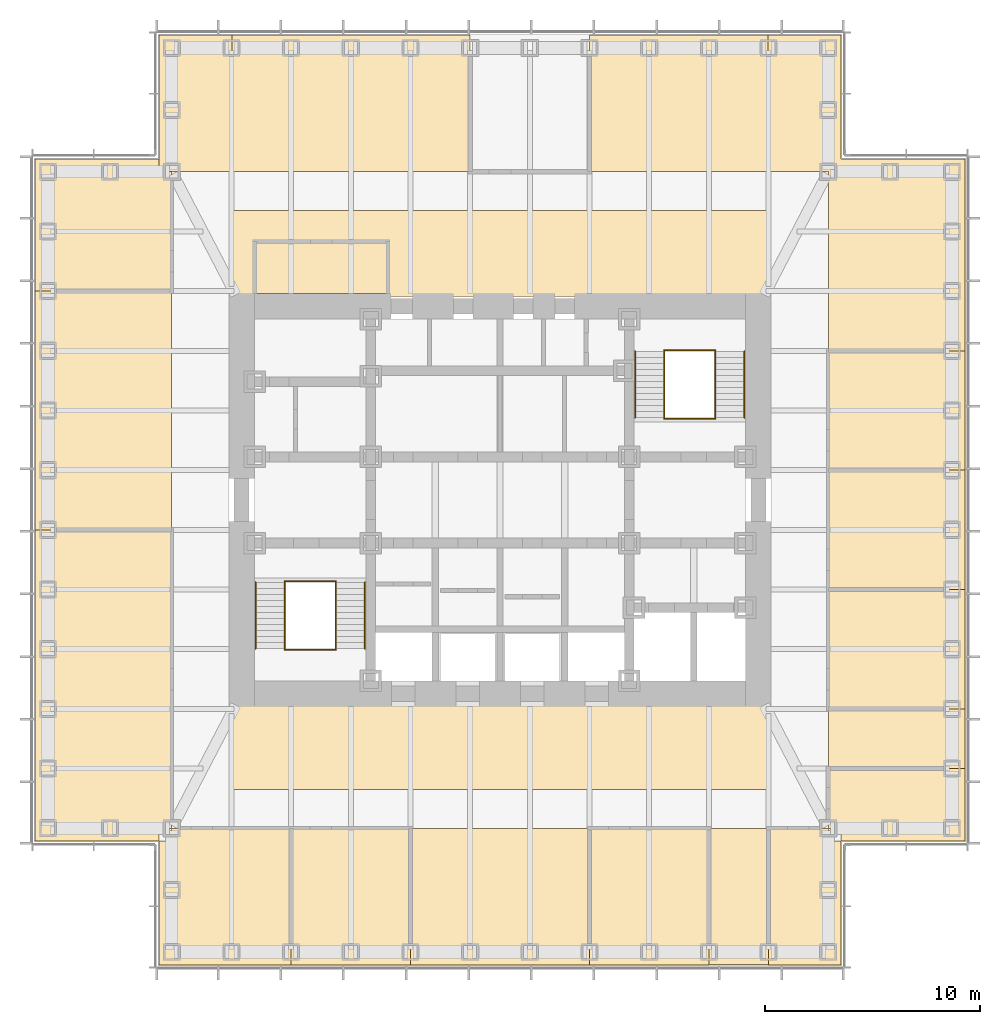
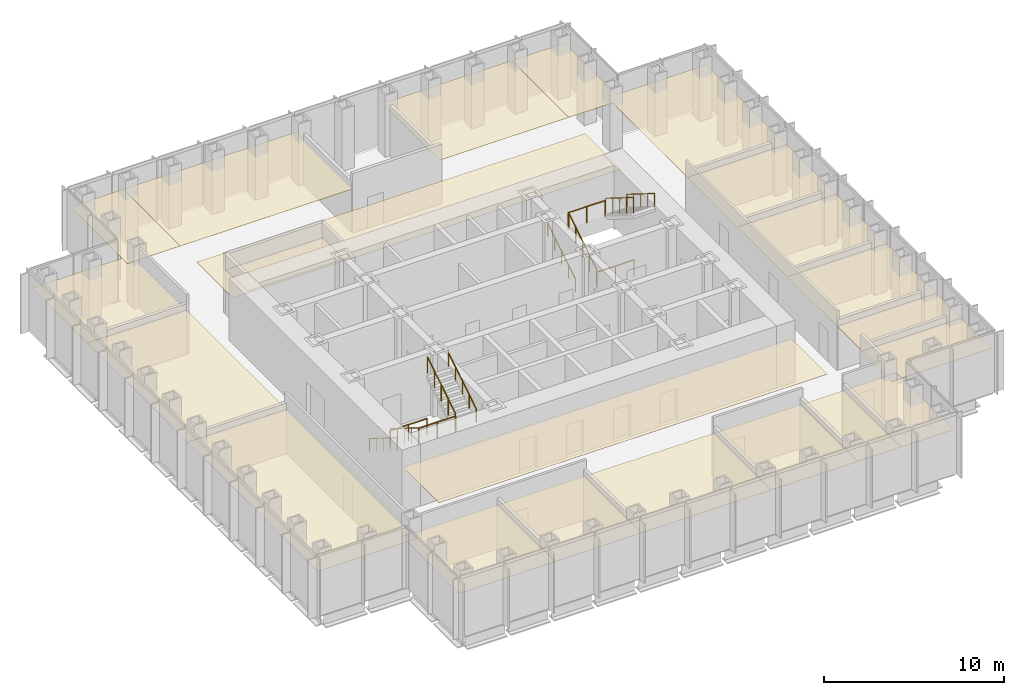
# One storey, part 16 of 16: 21 coverings, 12 railings.
"""IFC4 building model written with IfcOpenShell, lengths in metres."""

from ifc_helpers import new_model, si_unit, direction, frame, origin, origin_2d, place, context, subcontext, project, spatial, polyline, circle, outline, extrude, material, layer, layer_set, type_object, element, save


model = new_model("IFC4")

# Units and contexts
model_context = context("Model", 3, precision=1e-05, world=origin(), true_north=direction((0.0, 1.0)))
body_context = subcontext(model_context, "Body", "Model", "MODEL_VIEW")
ifc_project = project(units=[si_unit("LENGTHUNIT", "METRE"), si_unit("AREAUNIT", "SQUARE_METRE"), si_unit("VOLUMEUNIT", "CUBIC_METRE"), si_unit("PLANEANGLEUNIT", "RADIAN"), si_unit("MASSUNIT", "GRAM", prefix="KILO")], contexts=[model_context])

# Site, building, storey
site_placement = place(None, origin())
site = spatial("IfcSite", under=ifc_project, at=site_placement, CompositionType="ELEMENT")
building_placement = place(site_placement, origin())
building = spatial("IfcBuilding", under=site, at=building_placement, Name="Daluyong Arena Tower", CompositionType="ELEMENT")
storey_placement = place(building_placement, frame((0.0, 0.0, 267.10009765625)))
storey = spatial("IfcBuildingStorey", under=building, at=storey_placement, Name="L60", CompositionType="ELEMENT", Elevation=267.10009765625)

# Coverings
ifc_material_1 = material(Name="Mineral fibre ceiling tile", Category="gypsum board")
ifc_layer = layer(ifc_material_1, 0.02001953125)
ifc_layer_set = layer_set([ifc_layer], Name="Mineral fibre ceiling tile")
covering_type = type_object("IfcCoveringType", Name="Office ceiling", PredefinedType="CEILING", material=ifc_layer_set)
covering_1_placement = place(storey_placement, frame((0.0, 0.0, 2.89990234375)))
element("IfcCovering", 1, at=covering_1_placement, inside=storey, type_object=covering_type, Name="ceiling L60-01", PredefinedType="CEILING", context=body_context, shape_type="SweptSolid", body=[
    extrude(outline(polyline([(40.14990234375, 64.14990234375), (40.14990234375, 58.39990234375), (46.29541015625, 58.39990234375), (46.29541015625, 64.75), (40.75, 64.75), (40.75, 64.14990234375), (40.14990234375, 64.14990234375)])), origin(), (0.0, 0.0, 1.0), 0.02001953125),
])
covering_2_placement = place(storey_placement, frame((0.0, 0.0, 2.89990234375)))
element("IfcCovering", 2, at=covering_2_placement, inside=storey, type_object=covering_type, Name="ceiling L60-02", PredefinedType="CEILING", context=body_context, shape_type="SweptSolid", body=[
    extrude(outline(polyline([(46.29541015625, 64.75), (46.29541015625, 58.39990234375), (51.8408203125, 58.39990234375), (51.8408203125, 64.75), (46.29541015625, 64.75)])), origin(), (0.0, 0.0, 1.0), 0.02001953125),
])
covering_3_placement = place(storey_placement, frame((0.0, 0.0, 2.89990234375)))
element("IfcCovering", 3, at=covering_3_placement, inside=storey, type_object=covering_type, Name="ceiling L60-03", PredefinedType="CEILING", context=body_context, shape_type="SweptSolid", body=[
    extrude(outline(polyline([(60.1591796875, 64.75), (60.1591796875, 58.39990234375), (65.70458984375, 58.39990234375), (65.70458984375, 64.75), (60.1591796875, 64.75)])), origin(), (0.0, 0.0, 1.0), 0.02001953125),
])
covering_4_placement = place(storey_placement, frame((0.0, 0.0, 2.89990234375)))
element("IfcCovering", 4, at=covering_4_placement, inside=storey, type_object=covering_type, Name="ceiling L60-04", PredefinedType="CEILING", context=body_context, shape_type="SweptSolid", body=[
    extrude(outline(polyline([(71.85009765625, 58.39990234375), (71.85009765625, 64.14990234375), (71.25, 64.14990234375), (71.25, 64.75), (68.477294921875, 64.75), (68.477294921875, 58.39990234375), (71.85009765625, 58.39990234375)])), origin(), (0.0, 0.0, 1.0), 0.02001953125),
])
covering_5_placement = place(storey_placement, frame((0.0, 0.0, 2.89990234375)))
element("IfcCovering", 5, at=covering_5_placement, inside=storey, type_object=covering_type, Name="ceiling L60-05", PredefinedType="CEILING", context=body_context, shape_type="SweptSolid", body=[
    extrude(outline(polyline([(71.85009765625, 64.14990234375), (77.60009765625, 64.14990234375), (77.60009765625, 67.522705078125), (71.25, 67.522705078125), (71.25, 64.75), (71.85009765625, 64.75), (71.85009765625, 64.14990234375)])), origin(), (0.0, 0.0, 1.0), 0.02001953125),
])
covering_6_placement = place(storey_placement, frame((0.0, 0.0, 2.89990234375)))
element("IfcCovering", 6, at=covering_6_placement, inside=storey, type_object=covering_type, Name="ceiling L60-06", PredefinedType="CEILING", context=body_context, shape_type="SweptSolid", body=[
    extrude(outline(polyline([(71.25, 70.29541015625), (77.60009765625, 70.29541015625), (77.60009765625, 75.8408203125), (71.25, 75.8408203125), (71.25, 70.29541015625)])), origin(), (0.0, 0.0, 1.0), 0.02001953125),
])
covering_7_placement = place(storey_placement, frame((0.0, 0.0, 2.89990234375)))
element("IfcCovering", 7, at=covering_7_placement, inside=storey, type_object=covering_type, Name="ceiling L60-07", PredefinedType="CEILING", context=body_context, shape_type="SweptSolid", body=[
    extrude(outline(polyline([(71.25, 75.8408203125), (77.60009765625, 75.8408203125), (77.60009765625, 81.386474609375), (71.25, 81.386474609375), (71.25, 75.8408203125)])), origin(), (0.0, 0.0, 1.0), 0.02001953125),
])
covering_8_placement = place(storey_placement, frame((0.0, 0.0, 2.89990234375)))
element("IfcCovering", 8, at=covering_8_placement, inside=storey, type_object=covering_type, Name="ceiling L60-08", PredefinedType="CEILING", context=body_context, shape_type="SweptSolid", body=[
    extrude(outline(polyline([(71.25, 81.386474609375), (77.60009765625, 81.386474609375), (77.60009765625, 86.931884765625), (71.25, 86.931884765625), (71.25, 81.386474609375)])), origin(), (0.0, 0.0, 1.0), 0.02001953125),
])
covering_9_placement = place(storey_placement, frame((0.0, 0.0, 2.89990234375)))
element("IfcCovering", 9, at=covering_9_placement, inside=storey, type_object=covering_type, Name="ceiling L60-10", PredefinedType="CEILING", context=body_context, shape_type="SweptSolid", body=[
    extrude(outline(polyline([(34.39990234375, 64.14990234375), (40.14990234375, 64.14990234375), (40.14990234375, 64.75), (40.75, 64.75), (40.75, 78.613525390625), (34.39990234375, 78.613525390625), (34.39990234375, 64.14990234375)])), origin(), (0.0, 0.0, 1.0), 0.02001953125),
])
covering_10_placement = place(storey_placement, frame((0.0, 0.0, 2.89990234375)))
element("IfcCovering", 10, at=covering_10_placement, inside=storey, type_object=covering_type, Name="ceiling L60-11", PredefinedType="CEILING", context=body_context, shape_type="SweptSolid", body=[
    extrude(outline(polyline([(40.75, 89.70458984375), (40.75, 95.25), (40.14990234375, 95.25), (40.14990234375, 95.85009765625), (34.39990234375, 95.85009765625), (34.39990234375, 89.70458984375), (40.75, 89.70458984375)])), origin(), (0.0, 0.0, 1.0), 0.02001953125),
])
covering_11_placement = place(storey_placement, frame((0.0, 0.0, 2.89990234375)))
element("IfcCovering", 11, at=covering_11_placement, inside=storey, type_object=covering_type, Name="ceiling L60-12", PredefinedType="CEILING", context=body_context, shape_type="SweptSolid", body=[
    extrude(outline(polyline([(44.60009765625, 89.60009765625), (50.800048828125, 89.60009765625), (50.800048828125, 92.0), (44.60009765625, 92.0), (44.60009765625, 89.60009765625)])), origin(), (0.0, 0.0, 1.0), 0.02001953125),
])
covering_12_placement = place(storey_placement, frame((0.0, 0.0, 2.89990234375)))
element("IfcCovering", 12, at=covering_12_placement, inside=storey, type_object=covering_type, Name="ceiling L60-14", PredefinedType="CEILING", context=body_context, shape_type="SweptSolid", body=[
    extrude(outline(polyline([(65.714599609375, 64.739990234375), (65.714599609375, 58.409912109375), (68.449462890625, 58.409912109375), (68.449951171875, 58.39990234375), (68.477294921875, 58.39990234375), (68.477294921875, 64.75), (68.449951171875, 64.75), (68.449462890625, 64.739990234375), (65.714599609375, 64.739990234375)])), origin(), (0.0, 0.0, 1.0), 0.02001953125),
])
covering_13_placement = place(storey_placement, frame((0.0, 0.0, 2.89990234375)))
element("IfcCovering", 13, at=covering_13_placement, inside=storey, type_object=covering_type, Name="ceiling L60-15", PredefinedType="CEILING", context=body_context, shape_type="SweptSolid", body=[
    extrude(outline(polyline([(51.8408203125, 58.39990234375), (60.1591796875, 58.39990234375), (60.1591796875, 64.75), (51.8408203125, 64.75), (51.8408203125, 58.39990234375)])), origin(), (0.0, 0.0, 1.0), 0.02001953125),
])
covering_14_placement = place(storey_placement, frame((0.0, 0.0, 2.89990234375)))
element("IfcCovering", 14, at=covering_14_placement, inside=storey, type_object=covering_type, Name="ceiling L60-16", PredefinedType="CEILING", context=body_context, shape_type="SweptSolid", body=[
    extrude(outline(polyline([(68.449951171875, 66.550048828125), (68.449951171875, 70.550048828125), (43.550048828125, 70.550048828125), (43.550048828125, 66.550048828125), (68.449951171875, 66.550048828125)])), origin(), (0.0, 0.0, 1.0), 0.02001953125),
])
covering_15_placement = place(storey_placement, frame((0.0, 0.0, 2.89990234375)))
element("IfcCovering", 15, at=covering_15_placement, inside=storey, type_object=covering_type, Name="ceiling L60-17", PredefinedType="CEILING", context=body_context, shape_type="SweptSolid", body=[
    extrude(outline(polyline([(71.85009765625, 101.60009765625), (68.449951171875, 101.60009765625), (68.449951171875, 95.25), (71.25, 95.25), (71.25, 86.931884765625), (77.60009765625, 86.931884765625), (77.60009765625, 95.85009765625), (71.85009765625, 95.85009765625), (71.85009765625, 101.60009765625)])), origin(), (0.0, 0.0, 1.0), 0.02001953125),
])
covering_16_placement = place(storey_placement, frame((0.0, 0.0, 2.89990234375)))
element("IfcCovering", 16, at=covering_16_placement, inside=storey, type_object=covering_type, Name="ceiling L60-18", PredefinedType="CEILING", context=body_context, shape_type="SweptSolid", body=[
    extrude(outline(polyline([(77.60009765625, 67.522705078125), (77.60009765625, 70.29541015625), (71.25, 70.29541015625), (71.25, 67.522705078125), (77.60009765625, 67.522705078125)])), origin(), (0.0, 0.0, 1.0), 0.02001953125),
])
covering_17_placement = place(storey_placement, frame((0.0, 0.0, 2.89990234375)))
element("IfcCovering", 17, at=covering_17_placement, inside=storey, type_object=covering_type, Name="ceiling L60-19", PredefinedType="CEILING", context=body_context, shape_type="SweptSolid", body=[
    extrude(outline(polyline([(54.613525390625, 101.60009765625), (43.550048828125, 101.60009765625), (43.550048828125, 95.25), (54.613525390625, 95.25), (54.613525390625, 101.60009765625)])), origin(), (0.0, 0.0, 1.0), 0.02001953125),
])
covering_18_placement = place(storey_placement, frame((0.0, 0.0, 2.89990234375)))
element("IfcCovering", 18, at=covering_18_placement, inside=storey, type_object=covering_type, Name="ceiling L60-20", PredefinedType="CEILING", context=body_context, shape_type="SweptSolid", body=[
    extrude(outline(polyline([(68.449951171875, 101.60009765625), (60.1591796875, 101.60009765625), (60.1591796875, 95.25), (68.449951171875, 95.25), (68.449951171875, 101.60009765625)])), origin(), (0.0, 0.0, 1.0), 0.02001953125),
])
covering_19_placement = place(storey_placement, frame((0.0, 0.0, 2.89990234375)))
element("IfcCovering", 19, at=covering_19_placement, inside=storey, type_object=covering_type, Name="ceiling L60-21", PredefinedType="CEILING", context=body_context, shape_type="SweptSolid", body=[
    extrude(outline(polyline([(43.550048828125, 93.449951171875), (43.550048828125, 89.449951171875), (68.449951171875, 89.449951171875), (68.449951171875, 93.449951171875), (43.550048828125, 93.449951171875)]), holes=[polyline([(44.60009765625, 89.60009765625), (44.60009765625, 92.0), (50.800048828125, 92.0), (50.800048828125, 89.60009765625), (44.60009765625, 89.60009765625)])]), origin(), (0.0, 0.0, 1.0), 0.02001953125),
])
covering_20_placement = place(storey_placement, frame((0.0, 0.0, 2.89990234375)))
element("IfcCovering", 20, at=covering_20_placement, inside=storey, type_object=covering_type, Name="ceiling L60-22", PredefinedType="CEILING", context=body_context, shape_type="SweptSolid", body=[
    extrude(outline(polyline([(40.75, 78.613525390625), (40.75, 89.70458984375), (34.39990234375, 89.70458984375), (34.39990234375, 78.613525390625), (40.75, 78.613525390625)])), origin(), (0.0, 0.0, 1.0), 0.02001953125),
])
covering_21_placement = place(storey_placement, frame((0.0, 0.0, 2.89990234375)))
element("IfcCovering", 21, at=covering_21_placement, inside=storey, type_object=covering_type, Name="ceiling L60-23", PredefinedType="CEILING", context=body_context, shape_type="SweptSolid", body=[
    extrude(outline(polyline([(40.14990234375, 95.25), (43.550048828125, 95.25), (43.550048828125, 101.60009765625), (40.14990234375, 101.60009765625), (40.14990234375, 95.25)])), origin(), (0.0, 0.0, 1.0), 0.02001953125),
])

# Railings
ifc_material_2 = material(Name="Stainless steel handrail", Category="steel")
railing_type_1 = type_object("IfcRailingType", Name="Stair handrail", PredefinedType="HANDRAIL", material=ifc_material_2)
railing_1_placement = place(storey_placement, frame((44.64990234375, 76.175048828125, 0.1748046875)))
element("IfcRailing", 22, at=railing_1_placement, inside=storey, type_object=railing_type_1, Name="exit stair A handrail L60", PredefinedType="HANDRAIL", context=body_context, shape_type="SweptSolid", body=[
    extrude(circle(Radius=0.02392578125, at=origin_2d()), frame((0.0, 0.0, 0.8759765625), z_axis=(0.0, -0.847998304005, 0.529998940003), x_axis=(1.0, 0.0, 0.0)), (0.0, 0.0, 1.0), 3.632080078125),
    extrude(circle(Radius=0.02099609375, at=origin_2d()), origin(), (0.0, 0.0, 1.0), 0.851806640625),
    extrude(circle(Radius=0.02099609375, at=origin_2d()), frame((0.0, -0.77001953125, 0.481201171875)), (0.0, 0.0, 1.0), 0.851806640625),
    extrude(circle(Radius=0.02099609375, at=origin_2d()), frame((0.0, -1.5400390625, 0.96240234375)), (0.0, 0.0, 1.0), 0.851806640625),
    extrude(circle(Radius=0.02099609375, at=origin_2d()), frame((0.0, -2.31005859375, 1.44384765625)), (0.0, 0.0, 1.0), 0.851806640625),
    extrude(circle(Radius=0.02099609375, at=origin_2d()), frame((0.0, -3.080078125, 1.925048828125)), (0.0, 0.0, 1.0), 0.851806640625),
])
for number, where, name in (
    (23, (49.72509765625, 73.094970703125, 2.27490234375), "exit stair A handrail L60"),
    (24, (62.27490234375, 83.824951171875, 0.1748046875), "exit stair B handrail L60"),
):
    element("IfcRailing", number, at=place(storey_placement, frame(where)), inside=storey, type_object=railing_type_1, Name=name, PredefinedType="HANDRAIL", context=body_context, shape_type="SweptSolid", body=[
        extrude(circle(Radius=0.02392578125, at=origin_2d()), frame((0.0, 0.0, 0.8759765625), z_axis=(0.0, 0.847998304005, 0.529998940003), x_axis=(-1.0, 0.0, 0.0)), (0.0, 0.0, 1.0), 3.632080078125),
        extrude(circle(Radius=0.02099609375, at=origin_2d()), origin(), (0.0, 0.0, 1.0), 0.851806640625),
        extrude(circle(Radius=0.02099609375, at=origin_2d()), frame((0.0, 0.77001953125, 0.481201171875)), (0.0, 0.0, 1.0), 0.851806640625),
        extrude(circle(Radius=0.02099609375, at=origin_2d()), frame((0.0, 1.5400390625, 0.96240234375)), (0.0, 0.0, 1.0), 0.851806640625),
        extrude(circle(Radius=0.02099609375, at=origin_2d()), frame((0.0, 2.31005859375, 1.44384765625)), (0.0, 0.0, 1.0), 0.851806640625),
        extrude(circle(Radius=0.02099609375, at=origin_2d()), frame((0.0, 3.080078125, 1.925048828125)), (0.0, 0.0, 1.0), 0.851806640625),
    ])
railing_2_placement = place(storey_placement, frame((67.35009765625, 86.905029296875, 2.27490234375)))
element("IfcRailing", 25, at=railing_2_placement, inside=storey, type_object=railing_type_1, Name="exit stair B handrail L60", PredefinedType="HANDRAIL", context=body_context, shape_type="SweptSolid", body=[
    extrude(circle(Radius=0.02392578125, at=origin_2d()), frame((0.0, 0.0, 0.8759765625), z_axis=(0.0, -0.847998304005, 0.529998940003), x_axis=(1.0, 0.0, 0.0)), (0.0, 0.0, 1.0), 3.632080078125),
    extrude(circle(Radius=0.02099609375, at=origin_2d()), origin(), (0.0, 0.0, 1.0), 0.851806640625),
    extrude(circle(Radius=0.02099609375, at=origin_2d()), frame((0.0, -0.77001953125, 0.481201171875)), (0.0, 0.0, 1.0), 0.851806640625),
    extrude(circle(Radius=0.02099609375, at=origin_2d()), frame((0.0, -1.5400390625, 0.96240234375)), (0.0, 0.0, 1.0), 0.851806640625),
    extrude(circle(Radius=0.02099609375, at=origin_2d()), frame((0.0, -2.31005859375, 1.44384765625)), (0.0, 0.0, 1.0), 0.851806640625),
    extrude(circle(Radius=0.02099609375, at=origin_2d()), frame((0.0, -3.080078125, 1.925048828125)), (0.0, 0.0, 1.0), 0.851806640625),
])
ifc_material_3 = material(Name="Steel balustrade", Category="steel")
railing_type_2 = type_object("IfcRailingType", Name="Stair well guard 1100", PredefinedType="GUARDRAIL", material=ifc_material_3)
railing_3_placement = place(storey_placement, frame((46.0, 76.175048828125, 0.1748046875)))
element("IfcRailing", 26, at=railing_3_placement, inside=storey, type_object=railing_type_2, Name="exit stair A well guard L60", PredefinedType="GUARDRAIL", context=body_context, shape_type="SweptSolid", body=[
    extrude(circle(Radius=0.02392578125, at=origin_2d()), frame((0.0, 0.0, 1.076171875), z_axis=(0.0, -0.847998304005, 0.529998940003), x_axis=(1.0, 0.0, 0.0)), (0.0, 0.0, 1.0), 3.632080078125),
    extrude(circle(Radius=0.02099609375, at=origin_2d()), origin(), (0.0, 0.0, 1.0), 1.052001953125),
    extrude(circle(Radius=0.02099609375, at=origin_2d()), frame((0.0, -0.77001953125, 0.481201171875)), (0.0, 0.0, 1.0), 1.052001953125),
    extrude(circle(Radius=0.02099609375, at=origin_2d()), frame((0.0, -1.5400390625, 0.96240234375)), (0.0, 0.0, 1.0), 1.052001953125),
    extrude(circle(Radius=0.02099609375, at=origin_2d()), frame((0.0, -2.31005859375, 1.44384765625)), (0.0, 0.0, 1.0), 1.052001953125),
    extrude(circle(Radius=0.02099609375, at=origin_2d()), frame((0.0, -3.080078125, 1.925048828125)), (0.0, 0.0, 1.0), 1.052001953125),
])
railing_4_placement = place(storey_placement, frame((48.375, 73.094970703125, 2.27490234375)))
element("IfcRailing", 27, at=railing_4_placement, inside=storey, type_object=railing_type_2, Name="exit stair A well guard L60", PredefinedType="GUARDRAIL", context=body_context, shape_type="SweptSolid", body=[
    extrude(circle(Radius=0.02392578125, at=origin_2d()), frame((0.0, 0.0, 1.076171875), z_axis=(0.0, 0.847998304005, 0.529998940003), x_axis=(-1.0, 0.0, 0.0)), (0.0, 0.0, 1.0), 3.632080078125),
    extrude(circle(Radius=0.02099609375, at=origin_2d()), origin(), (0.0, 0.0, 1.0), 1.052001953125),
    extrude(circle(Radius=0.02099609375, at=origin_2d()), frame((0.0, 0.77001953125, 0.481201171875)), (0.0, 0.0, 1.0), 1.052001953125),
    extrude(circle(Radius=0.02099609375, at=origin_2d()), frame((0.0, 1.5400390625, 0.96240234375)), (0.0, 0.0, 1.0), 1.052001953125),
    extrude(circle(Radius=0.02099609375, at=origin_2d()), frame((0.0, 2.31005859375, 1.44384765625)), (0.0, 0.0, 1.0), 1.052001953125),
    extrude(circle(Radius=0.02099609375, at=origin_2d()), frame((0.0, 3.080078125, 1.925048828125)), (0.0, 0.0, 1.0), 1.052001953125),
])
for number, where, name in (
    (28, (46.0, 73.044921875, 2.099853515625), "exit stair A landing guard L60"),
    (29, (46.0, 76.22509765625, 0.0), "exit stair A floor landing guard L60"),
):
    element("IfcRailing", number, at=place(storey_placement, frame(where)), inside=storey, type_object=railing_type_2, Name=name, PredefinedType="GUARDRAIL", context=body_context, shape_type="SweptSolid", body=[
        extrude(circle(Radius=0.02392578125, at=origin_2d()), frame((0.0, 0.0, 1.076171875), z_axis=(1.0, 0.0, 0.0), x_axis=(0.0, 1.0, 0.0)), (0.0, 0.0, 1.0), 2.375),
        extrude(circle(Radius=0.02099609375, at=origin_2d()), origin(), (0.0, 0.0, 1.0), 1.052001953125),
        extrude(circle(Radius=0.02099609375, at=origin_2d()), frame((1.1875, 0.0, 0.0)), (0.0, 0.0, 1.0), 1.052001953125),
        extrude(circle(Radius=0.02099609375, at=origin_2d()), frame((2.375, 0.0, 0.0)), (0.0, 0.0, 1.0), 1.052001953125),
    ])
railing_5_placement = place(storey_placement, frame((63.625, 83.824951171875, 0.1748046875)))
element("IfcRailing", 30, at=railing_5_placement, inside=storey, type_object=railing_type_2, Name="exit stair B well guard L60", PredefinedType="GUARDRAIL", context=body_context, shape_type="SweptSolid", body=[
    extrude(circle(Radius=0.02392578125, at=origin_2d()), frame((0.0, 0.0, 1.076171875), z_axis=(0.0, 0.847998304005, 0.529998940003), x_axis=(-1.0, 0.0, 0.0)), (0.0, 0.0, 1.0), 3.632080078125),
    extrude(circle(Radius=0.02099609375, at=origin_2d()), origin(), (0.0, 0.0, 1.0), 1.052001953125),
    extrude(circle(Radius=0.02099609375, at=origin_2d()), frame((0.0, 0.77001953125, 0.481201171875)), (0.0, 0.0, 1.0), 1.052001953125),
    extrude(circle(Radius=0.02099609375, at=origin_2d()), frame((0.0, 1.5400390625, 0.96240234375)), (0.0, 0.0, 1.0), 1.052001953125),
    extrude(circle(Radius=0.02099609375, at=origin_2d()), frame((0.0, 2.31005859375, 1.44384765625)), (0.0, 0.0, 1.0), 1.052001953125),
    extrude(circle(Radius=0.02099609375, at=origin_2d()), frame((0.0, 3.080078125, 1.925048828125)), (0.0, 0.0, 1.0), 1.052001953125),
])
railing_6_placement = place(storey_placement, frame((66.0, 86.905029296875, 2.27490234375)))
element("IfcRailing", 31, at=railing_6_placement, inside=storey, type_object=railing_type_2, Name="exit stair B well guard L60", PredefinedType="GUARDRAIL", context=body_context, shape_type="SweptSolid", body=[
    extrude(circle(Radius=0.02392578125, at=origin_2d()), frame((0.0, 0.0, 1.076171875), z_axis=(0.0, -0.847998304005, 0.529998940003), x_axis=(1.0, 0.0, 0.0)), (0.0, 0.0, 1.0), 3.632080078125),
    extrude(circle(Radius=0.02099609375, at=origin_2d()), origin(), (0.0, 0.0, 1.0), 1.052001953125),
    extrude(circle(Radius=0.02099609375, at=origin_2d()), frame((0.0, -0.77001953125, 0.481201171875)), (0.0, 0.0, 1.0), 1.052001953125),
    extrude(circle(Radius=0.02099609375, at=origin_2d()), frame((0.0, -1.5400390625, 0.96240234375)), (0.0, 0.0, 1.0), 1.052001953125),
    extrude(circle(Radius=0.02099609375, at=origin_2d()), frame((0.0, -2.31005859375, 1.44384765625)), (0.0, 0.0, 1.0), 1.052001953125),
    extrude(circle(Radius=0.02099609375, at=origin_2d()), frame((0.0, -3.080078125, 1.925048828125)), (0.0, 0.0, 1.0), 1.052001953125),
])
for number, where, name in (
    (32, (63.625, 86.955078125, 2.099853515625), "exit stair B landing guard L60"),
    (33, (63.625, 83.77490234375, 0.0), "exit stair B floor landing guard L60"),
):
    element("IfcRailing", number, at=place(storey_placement, frame(where)), inside=storey, type_object=railing_type_2, Name=name, PredefinedType="GUARDRAIL", context=body_context, shape_type="SweptSolid", body=[
        extrude(circle(Radius=0.02392578125, at=origin_2d()), frame((0.0, 0.0, 1.076171875), z_axis=(1.0, 0.0, 0.0), x_axis=(0.0, 1.0, 0.0)), (0.0, 0.0, 1.0), 2.375),
        extrude(circle(Radius=0.02099609375, at=origin_2d()), origin(), (0.0, 0.0, 1.0), 1.052001953125),
        extrude(circle(Radius=0.02099609375, at=origin_2d()), frame((1.1875, 0.0, 0.0)), (0.0, 0.0, 1.0), 1.052001953125),
        extrude(circle(Radius=0.02099609375, at=origin_2d()), frame((2.375, 0.0, 0.0)), (0.0, 0.0, 1.0), 1.052001953125),
    ])

save(model, "model.ifc")
